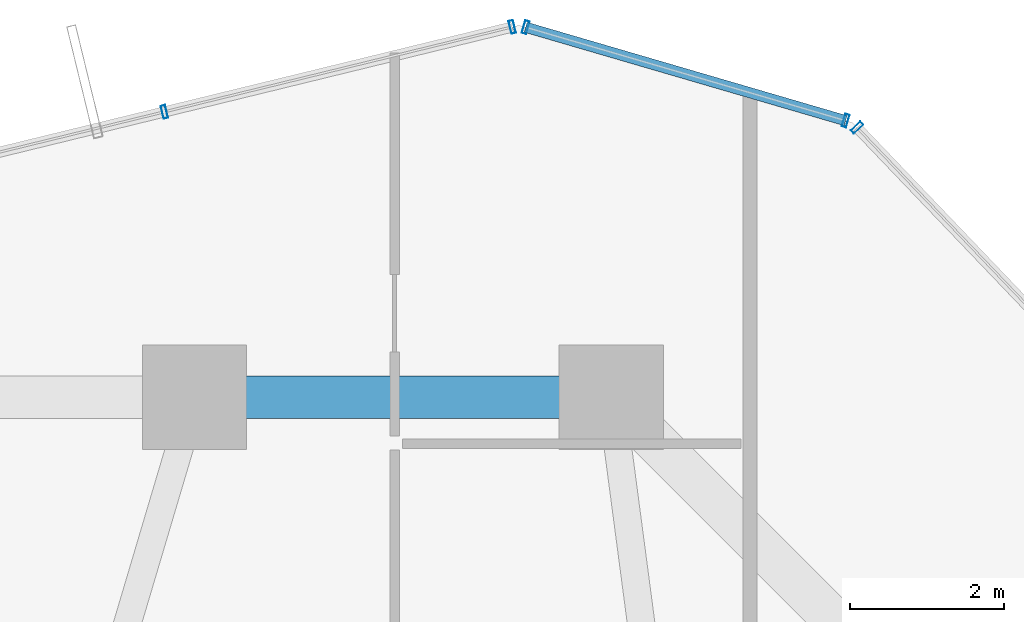
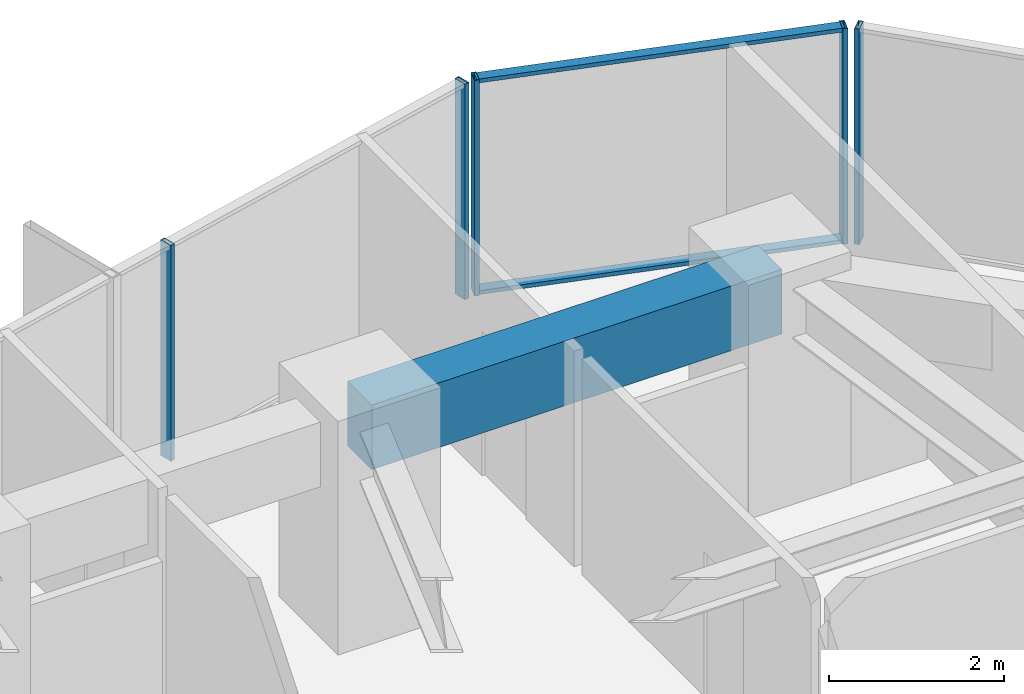
# One storey, part 26 of 37: 7 members, 1 beam, 3 elements without a shape of their own.
"""IFC4 building model written with IfcOpenShell, lengths in metres."""

from ifc_helpers import new_model, si_unit, direction, frame, origin, origin_2d, place, context, subcontext, project, spatial, rectangle, hollow_rectangle, extrude, source, transform, mapped, material, layer, layer_set, material_profile, profile_set, type_object, element, aggregate, save


model = new_model("IFC4")

# Units and contexts
model_context = context("Model", 3, precision=1e-05, world=origin(), true_north=direction((0.0, 1.0)))
body_context = subcontext(model_context, "Body", "Model", "MODEL_VIEW")
ifc_project = project(units=[si_unit("LENGTHUNIT", "METRE"), si_unit("AREAUNIT", "SQUARE_METRE"), si_unit("VOLUMEUNIT", "CUBIC_METRE"), si_unit("PLANEANGLEUNIT", "RADIAN"), si_unit("MASSUNIT", "GRAM", prefix="KILO")], contexts=[model_context])

# Site, building, storey
site_placement = place(None, origin())
site = spatial("IfcSite", under=ifc_project, at=site_placement, CompositionType="ELEMENT")
building_placement = place(site_placement, origin())
building = spatial("IfcBuilding", under=site, at=building_placement, Name="Veraguas Prism Commons", CompositionType="ELEMENT")
storey_placement = place(building_placement, frame((0.0, 0.0, 70.60009765625)))
storey = spatial("IfcBuildingStorey", under=building, at=storey_placement, Name="L19", CompositionType="ELEMENT", Elevation=70.60009765625)

# Beam
ifc_material_1 = material(Name="Concrete C50/60", Category="concrete")
ifc_material_profile_1 = material_profile(ifc_material_1, rectangle(XDim=0.550048828125, YDim=0.89990234375, at=origin_2d()), Name="RC550X900")
ifc_profile_set_1 = profile_set([ifc_material_profile_1], Name="Concrete C50/60")
beam_type = type_object("IfcBeamType", Name="Perimeter Spandrel Lower RC 550x900", PredefinedType="SPANDREL", material=ifc_profile_set_1)
beam_placement = place(storey_placement, frame((29.39990234375, 41.60009765625, 2.5498046875), z_axis=(-1.0, 0.0, 0.0), x_axis=(0.0, -1.0, 0.0)))
element("IfcBeam", 1, at=beam_placement, inside=storey, type_object=beam_type, Name="Perimeter Spandrel Beam L19-SP04", PredefinedType="SPANDREL", context=body_context, shape_type="SweptSolid", body=[
    extrude(rectangle(XDim=0.550048828125, YDim=0.89990234375, at=origin_2d()), origin(), (0.0, 0.0, 1.0), 5.39990234375),
])

# Curtain wall, member
ifc_material_2 = material(Name="Anodised aluminium EN AW-6063 T6", Category="aluminium")
ifc_layer = layer(ifc_material_2, 0.169921875, Name="Unitised Flush Curtain Wall Zone 1", Category="aluminium")
ifc_layer_set = layer_set([ifc_layer], Name="Anodised aluminium EN AW-6063 T6")
curtain_wall_type = type_object("IfcCurtainWallType", Name="Unitised Flush Curtain Wall Zone 1", PredefinedType="NOTDEFINED", material=ifc_layer_set)
curtain_wall_1_placement = place(storey_placement, origin())
curtain_wall_1 = element("IfcCurtainWall", 2, at=curtain_wall_1_placement, inside=storey, type_object=curtain_wall_type, Name="Tower Facade Curtain Wall L19-F1", PredefinedType="NOTDEFINED")
ifc_material_profile_2 = material_profile(ifc_material_2, hollow_rectangle(XDim=0.06005859375, YDim=0.169921875, WallThickness=0.00390625, at=origin_2d()), Name="AL60X170X4")
ifc_profile_set_2 = profile_set([ifc_material_profile_2], Name="Anodised aluminium EN AW-6063 T6")
member_type_1 = type_object("IfcMemberType", Name="Curtain Wall Mullion Lower AL 60x170x4", PredefinedType="MULLION", material=ifc_profile_set_2)
shared_shape_1 = source(origin(), body_context, "Body", "SweptSolid", [
    extrude(hollow_rectangle(XDim=0.06005859375, YDim=0.169921875, WallThickness=0.00390625, at=origin_2d()), origin(), (0.0, 0.0, 1.0), 3.0),
])
member_1_placement = place(storey_placement, frame((32.5859375, 45.094970703125, 0.0), z_axis=(0.0, 0.0, 1.0), x_axis=(-0.691135993516, 0.722724732154, 0.0)))
member_1 = element("IfcMember", 3, at=member_1_placement, type_object=member_type_1, Name="CW-Z1 Mullion 5", PredefinedType="MULLION", context=body_context, shape_type="MappedRepresentation", body=[
    mapped(shared_shape_1, transform((0.0, 0.0, 0.0), scale=1.0)),
])
aggregate(curtain_wall_1, [member_1])

# Curtain wall, members
curtain_wall_2_placement = place(storey_placement, origin())
curtain_wall_2 = element("IfcCurtainWall", 4, at=curtain_wall_2_placement, inside=storey, type_object=curtain_wall_type, Name="Tower Facade Curtain Wall L19-F2", PredefinedType="NOTDEFINED")
member_2_placement = place(storey_placement, frame((28.116455078125, 46.400146484375, 0.0), z_axis=(0.0, 0.0, 1.0), x_axis=(-0.971464732867, -0.237184048359, 0.0)))
member_2 = element("IfcMember", 5, at=member_2_placement, type_object=member_type_1, Name="CW-Z1 Mullion 1", PredefinedType="MULLION", context=body_context, shape_type="MappedRepresentation", body=[
    mapped(shared_shape_1, transform((0.0, 0.0, 0.0), scale=1.0)),
])
member_3_placement = place(storey_placement, frame((23.60791015625, 45.29931640625, 0.0), z_axis=(0.0, 0.0, 1.0), x_axis=(-0.971464732867, -0.237184048359, 0.0)))
member_3 = element("IfcMember", 6, at=member_3_placement, type_object=member_type_1, Name="CW-Z1 Mullion 2", PredefinedType="MULLION", context=body_context, shape_type="MappedRepresentation", body=[
    mapped(shared_shape_1, transform((0.0, 0.0, 0.0), scale=1.0)),
])
aggregate(curtain_wall_2, [member_2, member_3])

curtain_wall_3_placement = place(storey_placement, origin())
curtain_wall_3 = element("IfcCurtainWall", 7, at=curtain_wall_3_placement, inside=storey, type_object=curtain_wall_type, Name="Chamfer Curtain Wall L19-C2", PredefinedType="NOTDEFINED")
member_4_placement = place(storey_placement, frame((32.437255859375, 45.185302734375, 0.0), z_axis=(0.0, 0.0, 1.0), x_axis=(-0.95990075827, 0.280340033303, 0.0)))
member_4 = element("IfcMember", 8, at=member_4_placement, type_object=member_type_1, Name="CW-Z1 Mullion 1", PredefinedType="MULLION", context=body_context, shape_type="MappedRepresentation", body=[
    mapped(shared_shape_1, transform((0.0, 0.0, 0.0), scale=1.0)),
])
member_5_placement = place(storey_placement, frame((28.290283203125, 46.396240234375, 0.0), z_axis=(0.0, 0.0, 1.0), x_axis=(-0.95990075827, 0.280340033303, 0.0)))
member_5 = element("IfcMember", 9, at=member_5_placement, type_object=member_type_1, Name="CW-Z1 Mullion 2", PredefinedType="MULLION", context=body_context, shape_type="MappedRepresentation", body=[
    mapped(shared_shape_1, transform((0.0, 0.0, 0.0), scale=1.0)),
])
ifc_material_profile_3 = material_profile(ifc_material_2, hollow_rectangle(XDim=0.054931640625, YDim=0.135009765625, WallThickness=0.0029296875, at=origin_2d()), Name="AL55X135X3")
ifc_profile_set_3 = profile_set([ifc_material_profile_3], Name="Anodised aluminium EN AW-6063 T6")
member_type_2 = type_object("IfcMemberType", Name="Curtain Wall Transom Standard AL 55x135x3", PredefinedType="USERDEFINED", material=ifc_profile_set_3)
shared_shape_2 = source(origin(), body_context, "Body", "SweptSolid", [
    extrude(hollow_rectangle(XDim=0.054931640625, YDim=0.135009765625, WallThickness=0.0029296875, at=origin_2d()), origin(), (0.0, 0.0, 1.0), 4.320068359375),
])
member_6_placement = place(storey_placement, frame((32.437255859375, 45.185302734375, 0.02734375), z_axis=(-0.959912608364, 0.280299454697, 0.0), x_axis=(0.0, 0.0, 1.0)))
member_6 = element("IfcMember", 10, at=member_6_placement, type_object=member_type_2, Name="CW-Z1 Transom 1", ObjectType="TRANSOM", PredefinedType="USERDEFINED", context=body_context, shape_type="MappedRepresentation", body=[
    mapped(shared_shape_2, transform((0.0, 0.0, 0.0), scale=1.0)),
])
member_7_placement = place(storey_placement, frame((32.437255859375, 45.185302734375, 2.972412109375), z_axis=(-0.959912608364, 0.280299454697, 0.0), x_axis=(0.0, 0.0, 1.0)))
member_7 = element("IfcMember", 11, at=member_7_placement, type_object=member_type_2, Name="CW-Z1 Transom 2", ObjectType="TRANSOM", PredefinedType="USERDEFINED", context=body_context, shape_type="MappedRepresentation", body=[
    mapped(shared_shape_2, transform((0.0, 0.0, 0.0), scale=1.0)),
])
aggregate(curtain_wall_3, [member_4, member_5, member_6, member_7])

save(model, "model.ifc")
